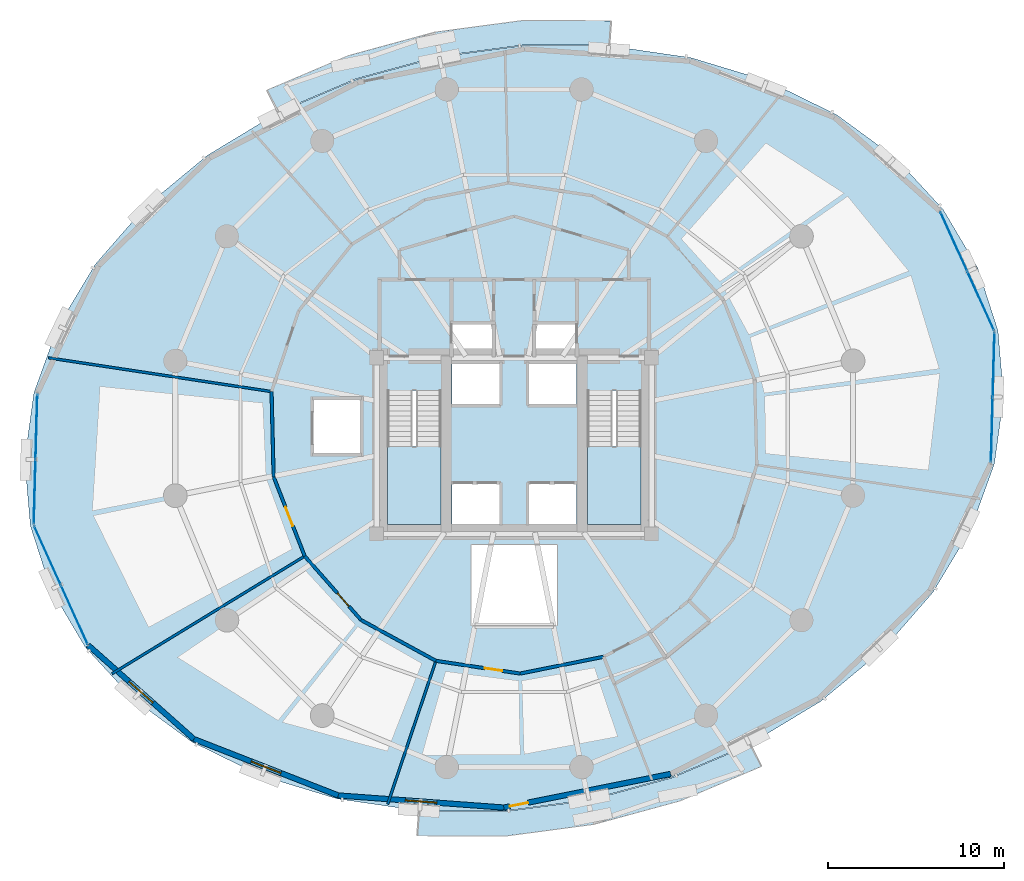
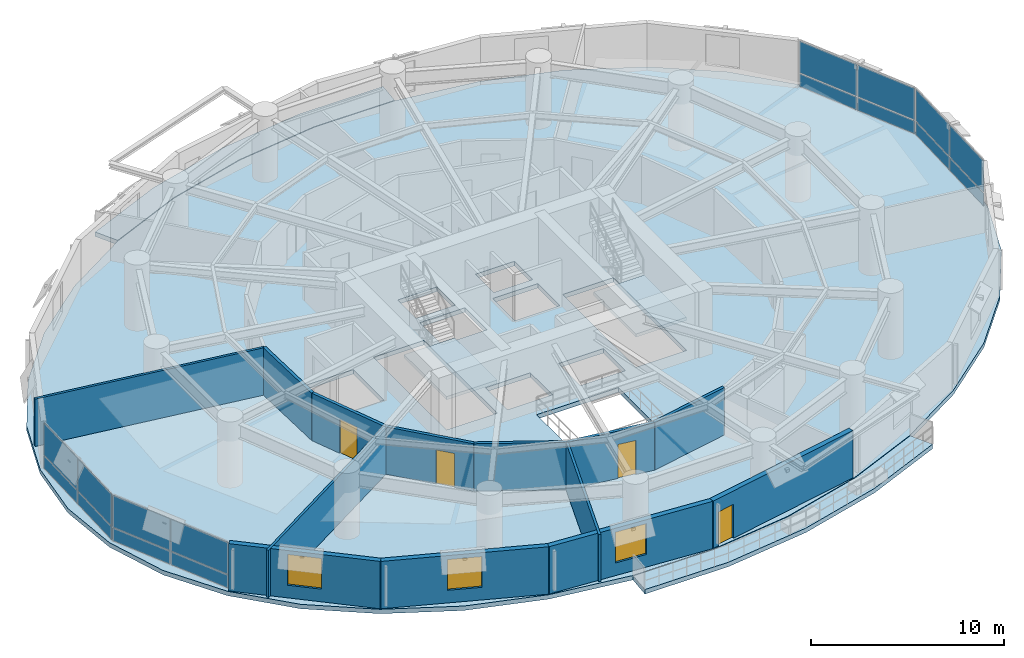
# One storey, part 11 of 17: 16 plates, 13 walls, 5 slabs, 4 doors, 3 windows, 7 openings, 6 elements without a shape of their own.
"""IFC4 building model written with IfcOpenShell, lengths in metres."""

from ifc_helpers import new_model, si_unit, direction, frame, frame_2d, origin, origin_2d, place, context, subcontext, project, spatial, polyline, rectangle, outline, extrude, material, layer, layer_set, type_object, element, fill, aggregate, save


model = new_model("IFC4")

# Units and contexts
model_context = context("Model", 3, precision=1e-05, world=origin(), true_north=direction((0.0, 1.0)))
body_context = subcontext(model_context, "Body", "Model", "MODEL_VIEW")
ifc_project = project(units=[si_unit("LENGTHUNIT", "METRE"), si_unit("AREAUNIT", "SQUARE_METRE"), si_unit("VOLUMEUNIT", "CUBIC_METRE"), si_unit("PLANEANGLEUNIT", "RADIAN"), si_unit("MASSUNIT", "GRAM", prefix="KILO"), si_unit("THERMODYNAMICTEMPERATUREUNIT", "KELVIN"), si_unit("POWERUNIT", "WATT")], contexts=[model_context])

# Site, building, storey
site_placement = place(None, origin())
site = spatial("IfcSite", under=ifc_project, at=site_placement, CompositionType="ELEMENT")
building_placement = place(site_placement, origin())
building = spatial("IfcBuilding", under=site, at=building_placement, Name="Ocrelia Relay Tower", CompositionType="ELEMENT")
storey_placement = place(building_placement, frame((0.0, 0.0, 80.39990234375)))
storey = spatial("IfcBuildingStorey", under=building, at=storey_placement, Name="L18", CompositionType="ELEMENT", Elevation=80.39990234375)

# Curtain wall, plates
ifc_material_1 = material(Name="Aluminium and solar-control low-E glass", Category="aluminium")
ifc_layer_1 = layer(ifc_material_1, 0.179931640625, Name="Aluminium and solar-control low-E glass")
ifc_layer_set_1 = layer_set([ifc_layer_1], Name="Aluminium and solar-control low-E glass")
curtain_wall_type = type_object("IfcCurtainWallType", Name="CW-SYS-Z1-DATA", PredefinedType="NOTDEFINED", material=ifc_layer_set_1)
curtain_wall_1_placement = place(storey_placement, origin())
curtain_wall_1 = element("IfcCurtainWall", 1, at=curtain_wall_1_placement, inside=storey, type_object=curtain_wall_type, Name="L18 Elliptical Tower Curtain Wall Bay 01", PredefinedType="NOTDEFINED")
ifc_material_2 = material(Name="Clear double-glazed low-E glass", Category="glass")
ifc_layer_2 = layer(ifc_material_2, 0.031982421875, Name="Clear double-glazed low-E glass")
ifc_layer_set_2 = layer_set([ifc_layer_2], Name="Clear double-glazed low-E glass")
plate_type = type_object("IfcPlateType", Name="CW-SYS-Z1-DATA-PNL", PredefinedType="CURTAIN_PANEL", material=ifc_layer_set_2)
plate_1_placement = place(storey_placement, frame((60.473388671875, 33.21337890625, 0.06494140625), z_axis=(0.0, 0.0, 1.0), x_axis=(-0.41247110864, 0.910970682589, 0.0)))
plate_1 = element("IfcPlate", 2, at=plate_1_placement, type_object=plate_type, Name="CW-Z1 panel 1.1", PredefinedType="CURTAIN_PANEL", context=body_context, shape_type="SweptSolid", body=[
    extrude(rectangle(XDim=3.6328125, YDim=0.031982421875, at=origin_2d()), origin(), (0.0, 0.0, 1.0), 0.802490234375),
])
plate_2_placement = place(storey_placement, frame((60.473388671875, 33.21337890625, 0.9326171875), z_axis=(0.0, 0.0, 1.0), x_axis=(-0.41247110864, 0.910970682589, 0.0)))
plate_2 = element("IfcPlate", 3, at=plate_2_placement, type_object=plate_type, Name="CW-Z1 panel 1.2", PredefinedType="CURTAIN_PANEL", context=body_context, shape_type="SweptSolid", body=[
    extrude(rectangle(XDim=3.6328125, YDim=0.031982421875, at=origin_2d()), origin(), (0.0, 0.0, 1.0), 2.00244140625),
])
plate_3_placement = place(storey_placement, frame((58.9462890625, 36.58642578125, 0.06494140625), z_axis=(0.0, 0.0, 1.0), x_axis=(-0.41247110864, 0.910970682589, 0.0)))
plate_3 = element("IfcPlate", 4, at=plate_3_placement, type_object=plate_type, Name="CW-Z1 panel 2.1", PredefinedType="CURTAIN_PANEL", context=body_context, shape_type="SweptSolid", body=[
    extrude(rectangle(XDim=3.6328125, YDim=0.031982421875, at=origin_2d()), origin(), (0.0, 0.0, 1.0), 0.802490234375),
])
plate_4_placement = place(storey_placement, frame((58.9462890625, 36.58642578125, 0.9326171875), z_axis=(0.0, 0.0, 1.0), x_axis=(-0.41247110864, 0.910970682589, 0.0)))
plate_4 = element("IfcPlate", 5, at=plate_4_placement, type_object=plate_type, Name="CW-Z1 panel 2.2", PredefinedType="CURTAIN_PANEL", context=body_context, shape_type="SweptSolid", body=[
    extrude(rectangle(XDim=3.6328125, YDim=0.031982421875, at=origin_2d()), origin(), (0.0, 0.0, 1.0), 2.00244140625),
])
aggregate(curtain_wall_1, [plate_1, plate_2, plate_3, plate_4])

curtain_wall_2_placement = place(storey_placement, origin())
curtain_wall_2 = element("IfcCurtainWall", 6, at=curtain_wall_2_placement, inside=storey, type_object=curtain_wall_type, Name="L18 Elliptical Tower Curtain Wall Bay 09", PredefinedType="NOTDEFINED")
plate_5_placement = place(storey_placement, frame((6.900634765625, 26.092041015625, 0.06494140625), z_axis=(0.0, 0.0, 1.0), x_axis=(-0.027222367212, -0.999629402691, 0.0)))
plate_5 = element("IfcPlate", 7, at=plate_5_placement, type_object=plate_type, Name="CW-Z1 panel 1.1", PredefinedType="CURTAIN_PANEL", context=body_context, shape_type="SweptSolid", body=[
    extrude(rectangle(XDim=3.6328125, YDim=0.031982421875, at=origin_2d()), origin(), (0.0, 0.0, 1.0), 0.802490234375),
])
plate_6_placement = place(storey_placement, frame((6.900634765625, 26.092041015625, 0.9326171875), z_axis=(0.0, 0.0, 1.0), x_axis=(-0.027222367212, -0.999629402691, 0.0)))
plate_6 = element("IfcPlate", 8, at=plate_6_placement, type_object=plate_type, Name="CW-Z1 panel 1.2", PredefinedType="CURTAIN_PANEL", context=body_context, shape_type="SweptSolid", body=[
    extrude(rectangle(XDim=3.6328125, YDim=0.031982421875, at=origin_2d()), origin(), (0.0, 0.0, 1.0), 2.00244140625),
])
plate_7_placement = place(storey_placement, frame((6.7998046875, 22.390869140625, 0.06494140625), z_axis=(0.0, 0.0, 1.0), x_axis=(-0.027222367212, -0.999629402691, 0.0)))
plate_7 = element("IfcPlate", 9, at=plate_7_placement, type_object=plate_type, Name="CW-Z1 panel 2.1", PredefinedType="CURTAIN_PANEL", context=body_context, shape_type="SweptSolid", body=[
    extrude(rectangle(XDim=3.6328125, YDim=0.031982421875, at=origin_2d()), origin(), (0.0, 0.0, 1.0), 0.802490234375),
])
plate_8_placement = place(storey_placement, frame((6.7998046875, 22.390869140625, 0.9326171875), z_axis=(0.0, 0.0, 1.0), x_axis=(-0.027222367212, -0.999629402691, 0.0)))
plate_8 = element("IfcPlate", 10, at=plate_8_placement, type_object=plate_type, Name="CW-Z1 panel 2.2", PredefinedType="CURTAIN_PANEL", context=body_context, shape_type="SweptSolid", body=[
    extrude(rectangle(XDim=3.6328125, YDim=0.031982421875, at=origin_2d()), origin(), (0.0, 0.0, 1.0), 2.00244140625),
])
aggregate(curtain_wall_2, [plate_5, plate_6, plate_7, plate_8])

curtain_wall_3_placement = place(storey_placement, origin())
curtain_wall_3 = element("IfcCurtainWall", 11, at=curtain_wall_3_placement, inside=storey, type_object=curtain_wall_type, Name="L18 Elliptical Tower Curtain Wall Bay 10", PredefinedType="NOTDEFINED")
plate_9_placement = place(storey_placement, frame((7.526611328125, 18.78662109375, 0.06494140625), z_axis=(0.0, 0.0, 1.0), x_axis=(0.41247110864, -0.910970682589, 0.0)))
plate_9 = element("IfcPlate", 12, at=plate_9_placement, type_object=plate_type, Name="CW-Z1 panel 1.1", PredefinedType="CURTAIN_PANEL", context=body_context, shape_type="SweptSolid", body=[
    extrude(rectangle(XDim=3.6328125, YDim=0.031982421875, at=origin_2d()), origin(), (0.0, 0.0, 1.0), 0.802490234375),
])
plate_10_placement = place(storey_placement, frame((7.526611328125, 18.78662109375, 0.9326171875), z_axis=(0.0, 0.0, 1.0), x_axis=(0.41247110864, -0.910970682589, 0.0)))
plate_10 = element("IfcPlate", 13, at=plate_10_placement, type_object=plate_type, Name="CW-Z1 panel 1.2", PredefinedType="CURTAIN_PANEL", context=body_context, shape_type="SweptSolid", body=[
    extrude(rectangle(XDim=3.6328125, YDim=0.031982421875, at=origin_2d()), origin(), (0.0, 0.0, 1.0), 2.00244140625),
])
plate_11_placement = place(storey_placement, frame((9.0537109375, 15.41357421875, 0.06494140625), z_axis=(0.0, 0.0, 1.0), x_axis=(0.41247110864, -0.910970682589, 0.0)))
plate_11 = element("IfcPlate", 14, at=plate_11_placement, type_object=plate_type, Name="CW-Z1 panel 2.1", PredefinedType="CURTAIN_PANEL", context=body_context, shape_type="SweptSolid", body=[
    extrude(rectangle(XDim=3.6328125, YDim=0.031982421875, at=origin_2d()), origin(), (0.0, 0.0, 1.0), 0.802490234375),
])
plate_12_placement = place(storey_placement, frame((9.0537109375, 15.41357421875, 0.9326171875), z_axis=(0.0, 0.0, 1.0), x_axis=(0.41247110864, -0.910970682589, 0.0)))
plate_12 = element("IfcPlate", 15, at=plate_12_placement, type_object=plate_type, Name="CW-Z1 panel 2.2", PredefinedType="CURTAIN_PANEL", context=body_context, shape_type="SweptSolid", body=[
    extrude(rectangle(XDim=3.6328125, YDim=0.031982421875, at=origin_2d()), origin(), (0.0, 0.0, 1.0), 2.00244140625),
])
aggregate(curtain_wall_3, [plate_9, plate_10, plate_11, plate_12])

curtain_wall_4_placement = place(storey_placement, origin())
curtain_wall_4 = element("IfcCurtainWall", 16, at=curtain_wall_4_placement, inside=storey, type_object=curtain_wall_type, Name="L18 Elliptical Tower Curtain Wall Bay 18", PredefinedType="NOTDEFINED")
plate_13_placement = place(storey_placement, frame((61.099365234375, 25.907958984375, 0.06494140625), z_axis=(0.0, 0.0, 1.0), x_axis=(0.027222367212, 0.999629402691, 0.0)))
plate_13 = element("IfcPlate", 17, at=plate_13_placement, type_object=plate_type, Name="CW-Z1 panel 1.1", PredefinedType="CURTAIN_PANEL", context=body_context, shape_type="SweptSolid", body=[
    extrude(rectangle(XDim=3.6328125, YDim=0.031982421875, at=origin_2d()), origin(), (0.0, 0.0, 1.0), 0.802490234375),
])
plate_14_placement = place(storey_placement, frame((61.099365234375, 25.907958984375, 0.9326171875), z_axis=(0.0, 0.0, 1.0), x_axis=(0.027222367212, 0.999629402691, 0.0)))
plate_14 = element("IfcPlate", 18, at=plate_14_placement, type_object=plate_type, Name="CW-Z1 panel 1.2", PredefinedType="CURTAIN_PANEL", context=body_context, shape_type="SweptSolid", body=[
    extrude(rectangle(XDim=3.6328125, YDim=0.031982421875, at=origin_2d()), origin(), (0.0, 0.0, 1.0), 2.00244140625),
])
plate_15_placement = place(storey_placement, frame((61.2001953125, 29.609130859375, 0.06494140625), z_axis=(0.0, 0.0, 1.0), x_axis=(0.027222367212, 0.999629402691, 0.0)))
plate_15 = element("IfcPlate", 19, at=plate_15_placement, type_object=plate_type, Name="CW-Z1 panel 2.1", PredefinedType="CURTAIN_PANEL", context=body_context, shape_type="SweptSolid", body=[
    extrude(rectangle(XDim=3.6328125, YDim=0.031982421875, at=origin_2d()), origin(), (0.0, 0.0, 1.0), 0.802490234375),
])
plate_16_placement = place(storey_placement, frame((61.2001953125, 29.609130859375, 0.9326171875), z_axis=(0.0, 0.0, 1.0), x_axis=(0.027222367212, 0.999629402691, 0.0)))
plate_16 = element("IfcPlate", 20, at=plate_16_placement, type_object=plate_type, Name="CW-Z1 panel 2.2", PredefinedType="CURTAIN_PANEL", context=body_context, shape_type="SweptSolid", body=[
    extrude(rectangle(XDim=3.6328125, YDim=0.031982421875, at=origin_2d()), origin(), (0.0, 0.0, 1.0), 2.00244140625),
])
aggregate(curtain_wall_4, [plate_13, plate_14, plate_15, plate_16])

# Slabs
ifc_material_3 = material(Name="Precast concrete C40/50", Category="concrete")
ifc_layer_3 = layer(ifc_material_3, 0.280029296875, Name="Precast concrete C40/50")
ifc_layer_set_3 = layer_set([ifc_layer_3], Name="Precast concrete C40/50")
slab_type_1 = type_object("IfcSlabType", Name="SL-BALC-280", PredefinedType="FLOOR", material=ifc_layer_set_3)
slab_1_placement = place(storey_placement, frame((0.0, 0.0, -0.27978515625)))
element("IfcSlab", 21, at=slab_1_placement, inside=storey, type_object=slab_type_1, Name="L18 Planted Loggia Balcony B1", PredefinedType="FLOOR", context=body_context, shape_type="SweptSolid", body=[
    extrude(outline(polyline([(39.396484375, 47.727783203125), (36.98779296875, 47.7373046875), (34.579345703125, 47.74658203125), (29.744384765625, 47.105224609375), (25.038818359375, 45.822998046875), (22.822021484375, 44.880859375), (20.605224609375, 43.938720703125), (19.97119140625, 45.1796875), (22.276611328125, 46.159423828125), (24.582275390625, 47.13916015625), (29.468994140625, 48.470947265625), (34.490234375, 49.13720703125), (36.9951171875, 49.127197265625), (39.5, 49.1171875), (39.396484375, 47.727783203125)])), origin(), (0.0, 0.0, 1.0), 0.27978515625),
])
slab_2_placement = place(storey_placement, frame((0.0, 0.0, -0.27978515625)))
element("IfcSlab", 22, at=slab_2_placement, inside=storey, type_object=slab_type_1, Name="L18 Planted Loggia Balcony B2", PredefinedType="FLOOR", context=body_context, shape_type="SweptSolid", body=[
    extrude(outline(polyline([(28.603515625, 4.272216796875), (31.01220703125, 4.2626953125), (33.420654296875, 4.25341796875), (38.255615234375, 4.894775390625), (42.961181640625, 6.177001953125), (45.177978515625, 7.119140625), (47.394775390625, 8.061279296875), (48.02880859375, 6.8203125), (45.723388671875, 5.840576171875), (43.417724609375, 4.86083984375), (38.531005859375, 3.529052734375), (33.509765625, 2.86279296875), (31.0048828125, 2.872802734375), (28.5, 2.8828125), (28.603515625, 4.272216796875)])), origin(), (0.0, 0.0, 1.0), 0.27978515625),
])
ifc_material_4 = material(Name="Concrete C50/60", Category="concrete")
ifc_layer_4 = layer(ifc_material_4, 0.280029296875, Name="Concrete C50/60")
ifc_layer_set_4 = layer_set([ifc_layer_4], Name="Concrete C50/60")
slab_type_2 = type_object("IfcSlabType", Name="SL-FLR-280", PredefinedType="FLOOR", material=ifc_layer_set_4)
slab_3_placement = place(storey_placement, frame((0.0, 0.0, -0.27978515625)))
element("IfcSlab", 23, at=slab_3_placement, inside=storey, type_object=slab_type_2, Name="L18 Elliptical Tower Floor Slab", PredefinedType="FLOOR", context=body_context, shape_type="SweptSolid", body=[
    extrude(outline(polyline([(61.447509765625, 31.534423828125), (60.292724609375, 35.110107421875), (58.3388671875, 38.408935546875), (55.6455078125, 41.330810546875), (52.29443359375, 43.786865234375), (48.3876953125, 45.702392578125), (44.04345703125, 47.019287109375), (39.394287109375, 47.69775390625), (34.581298828125, 47.716796875), (29.75048828125, 47.07568359375), (25.048583984375, 45.794677734375), (20.618896484375, 43.911865234375), (16.595947265625, 41.485107421875), (13.1015625, 38.587646484375), (10.2421875, 35.3076171875), (8.10498046875, 31.7451171875), (6.754150390625, 28.0078125), (6.2314453125, 24.20947265625), (6.552490234375, 20.465576171875), (7.707275390625, 16.889892578125), (9.6611328125, 13.591064453125), (12.3544921875, 10.669189453125), (15.70556640625, 8.213134765625), (19.6123046875, 6.297607421875), (23.95654296875, 4.980712890625), (28.605712890625, 4.30224609375), (33.418701171875, 4.283203125), (38.24951171875, 4.92431640625), (42.951416015625, 6.205322265625), (47.381103515625, 8.088134765625), (51.404052734375, 10.514892578125), (54.8984375, 13.412353515625), (57.7578125, 16.6923828125), (59.89501953125, 20.2548828125), (61.245849609375, 23.9921875), (61.7685546875, 27.79052734375), (61.447509765625, 31.534423828125)]), holes=[polyline([(26.81005859375, 28.14990234375), (26.81005859375, 20.550048828125), (29.85009765625, 20.550048828125), (29.85009765625, 28.14990234375), (26.81005859375, 28.14990234375)]), polyline([(38.159912109375, 28.14990234375), (38.159912109375, 20.550048828125), (41.199951171875, 20.550048828125), (41.199951171875, 28.14990234375), (38.159912109375, 28.14990234375)]), polyline([(30.4599609375, 20.550048828125), (33.159912109375, 20.550048828125), (33.159912109375, 22.85009765625), (30.4599609375, 22.85009765625), (30.4599609375, 20.550048828125)]), polyline([(34.840087890625, 20.550048828125), (37.5400390625, 20.550048828125), (37.5400390625, 22.85009765625), (34.840087890625, 22.85009765625), (34.840087890625, 20.550048828125)]), polyline([(30.4599609375, 27.35009765625), (33.159912109375, 27.35009765625), (33.159912109375, 29.64990234375), (30.4599609375, 29.64990234375), (30.4599609375, 27.35009765625)]), polyline([(34.840087890625, 27.35009765625), (37.5400390625, 27.35009765625), (37.5400390625, 29.64990234375), (34.840087890625, 29.64990234375), (34.840087890625, 27.35009765625)]), polyline([(30.5, 30.10009765625), (32.85009765625, 30.10009765625), (32.85009765625, 32.0), (30.5, 32.0), (30.5, 30.10009765625)]), polyline([(35.14990234375, 30.10009765625), (37.5, 30.10009765625), (37.5, 32.0), (35.14990234375, 32.0), (35.14990234375, 30.10009765625)]), polyline([(22.550048828125, 24.5), (25.35009765625, 24.5), (25.35009765625, 27.699951171875), (22.550048828125, 27.699951171875), (22.550048828125, 24.5)]), polyline([(31.550048828125, 14.800048828125), (36.449951171875, 14.800048828125), (36.449951171875, 19.39990234375), (31.550048828125, 19.39990234375), (31.550048828125, 14.800048828125)])]), origin(), (0.0, 0.0, 1.0), 0.27978515625),
])

# Stair, slab
stair_type = type_object("IfcStairType", Name="ST-DL-1420-R175", PredefinedType="HALF_TURN_STAIR", material=ifc_material_4)
stair_1_placement = place(storey_placement, origin())
stair_1 = element("IfcStair", 24, at=stair_1_placement, inside=storey, type_object=stair_type, Name="L18 West Core Exit Stair ST1", PredefinedType="HALF_TURN_STAIR")
ifc_layer_5 = layer(ifc_material_4, 0.199951171875, Name="Concrete C50/60")
ifc_layer_set_5 = layer_set([ifc_layer_5], Name="Concrete C50/60")
slab_type_3 = type_object("IfcSlabType", Name="SL-LANDING-200", PredefinedType="LANDING", material=ifc_layer_set_5)
slab_4_placement = place(storey_placement, frame((0.0, 0.0, 1.900146484375)))
slab_4 = element("IfcSlab", 25, at=slab_4_placement, type_object=slab_type_3, Name="ST1 landing 1", PredefinedType="LANDING", context=body_context, shape_type="SweptSolid", body=[
    extrude(outline(polyline([(26.81005859375, 24.9599609375), (26.81005859375, 20.550048828125), (29.85009765625, 20.550048828125), (29.85009765625, 24.9599609375), (26.81005859375, 24.9599609375)])), origin(), (0.0, 0.0, 1.0), 0.199951171875),
])
aggregate(stair_1, [slab_4])

stair_2_placement = place(storey_placement, origin())
stair_2 = element("IfcStair", 26, at=stair_2_placement, inside=storey, type_object=stair_type, Name="L18 East Core Exit Stair ST2", PredefinedType="HALF_TURN_STAIR")
slab_5_placement = place(storey_placement, frame((0.0, 0.0, 1.900146484375)))
slab_5 = element("IfcSlab", 27, at=slab_5_placement, type_object=slab_type_3, Name="ST2 landing 1", PredefinedType="LANDING", context=body_context, shape_type="SweptSolid", body=[
    extrude(outline(polyline([(38.159912109375, 24.9599609375), (38.159912109375, 20.550048828125), (41.199951171875, 20.550048828125), (41.199951171875, 24.9599609375), (38.159912109375, 24.9599609375)])), origin(), (0.0, 0.0, 1.0), 0.199951171875),
])
aggregate(stair_2, [slab_5])

# Wall
ifc_material_5 = material(Name="Gypsum Fireboard Partition EI60", Category="gypsum")
ifc_layer_6 = layer(ifc_material_5, 0.179931640625, Name="Gypsum Fireboard Partition EI60")
ifc_layer_set_6 = layer_set([ifc_layer_6], Name="Gypsum Fireboard Partition EI60")
wall_type_1 = type_object("IfcWallType", Name="W-CORR-EI60-180", PredefinedType="PARTITIONING", material=ifc_layer_set_6)
wall_1_placement = place(storey_placement, frame((20.236572265625, 28.08154296875, 0.0), z_axis=(0.0, 0.0, 1.0), x_axis=(0.024391609318, -0.999702480439, 0.0)))
element("IfcWall", 28, at=wall_1_placement, inside=storey, type_object=wall_type_1, Name="L18 Colocation Data Hall B Corridor Partition 1", PredefinedType="PARTITIONING", context=body_context, shape_type="SweptSolid", body=[
    extrude(rectangle(XDim=4.83447265625, YDim=0.179931640625, at=frame_2d((2.417236328125, 0.0))), origin(), (0.0, 0.0, 1.0), 3.0),
])

# Wall, opening, door
wall_2_placement = place(storey_placement, frame((20.3544921875, 23.24853515625, 0.0), z_axis=(0.0, 0.0, 1.0), x_axis=(0.364921025816, -0.931038476604, 0.0)))
wall_2 = element("IfcWall", 29, at=wall_2_placement, inside=storey, type_object=wall_type_1, Name="L18 Colocation Data Hall B Corridor Partition 2", PredefinedType="PARTITIONING", context=body_context, shape_type="SweptSolid", body=[
    extrude(rectangle(XDim=4.83447265625, YDim=0.179931640625, at=frame_2d((2.417236328125, 0.0))), origin(), (0.0, 0.0, 1.0), 3.0),
])
opening_1_placement = place(wall_2_placement, frame((1.84228515625, 0.0, 0.0)))
opening_1 = element("IfcOpeningElement", 30, at=opening_1_placement, cuts=wall_2, Name="Opening D-RM115", PredefinedType="OPENING", context=body_context, shape_type="SweptSolid", body=[
    extrude(rectangle(XDim=1.14990234375, YDim=2.14990234375, at=frame_2d((0.574951171875, 1.074951171875))), frame((0.0, 0.10009765625, 0.0), z_axis=(0.0, -1.0, 0.0), x_axis=(1.0, 0.0, 0.0)), (0.0, 0.0, 1.0), 0.199951171875),
])
ifc_material_6 = material(Name="Wide acoustic oak veneer fire door", Category="wood")
door_type_1 = type_object("IfcDoorType", Name="DR-ROOM-1150", OperationType="NOTDEFINED", PredefinedType="DOOR", material=ifc_material_6)
door_1_placement = place(opening_1_placement, origin())
door_1 = element("IfcDoor", 31, at=door_1_placement, inside=storey, type_object=door_type_1, Name="L18 Colocation Data Hall B Entrance Door", OperationType="SINGLE_SWING_LEFT", OverallHeight=2.14990234375, OverallWidth=1.14990234375, PredefinedType="DOOR", context=body_context, shape_type="SweptSolid", body=[
    extrude(rectangle(XDim=1.14990234375, YDim=2.14990234375, at=frame_2d((0.574951171875, 1.074951171875))), frame((0.0, 0.02490234375, 0.0), z_axis=(0.0, -1.0, 0.0), x_axis=(1.0, 0.0, 0.0)), (0.0, 0.0, 1.0), 0.050048828125),
])
fill(opening_1, door_1)

wall_3_placement = place(storey_placement, frame((22.11865234375, 18.74755859375, 0.0), z_axis=(0.0, 0.0, 1.0), x_axis=(0.661295879948, -0.750125162332, 0.0)))
wall_3 = element("IfcWall", 32, at=wall_3_placement, inside=storey, type_object=wall_type_1, Name="L18 Carrier Briefing Room Corridor Partition 1", PredefinedType="PARTITIONING", context=body_context, shape_type="SweptSolid", body=[
    extrude(rectangle(XDim=4.83447265625, YDim=0.179931640625, at=frame_2d((2.417236328125, 0.0))), origin(), (0.0, 0.0, 1.0), 3.0),
])
opening_2_placement = place(wall_3_placement, frame((2.80078125, 0.0, 0.0)))
opening_2 = element("IfcOpeningElement", 33, at=opening_2_placement, cuts=wall_3, Name="Opening D-RM100", PredefinedType="OPENING", context=body_context, shape_type="SweptSolid", body=[
    extrude(rectangle(XDim=1.0, YDim=2.14990234375, at=frame_2d((0.5, 1.074951171875))), frame((0.0, 0.10009765625, 0.0), z_axis=(0.0, -1.0, 0.0), x_axis=(1.0, 0.0, 0.0)), (0.0, 0.0, 1.0), 0.199951171875),
])
ifc_material_7 = material(Name="Acoustic oak veneer fire door", Category="wood")
door_type_2 = type_object("IfcDoorType", Name="DR-ROOM-FD60-1000", OperationType="NOTDEFINED", PredefinedType="DOOR", material=ifc_material_7)
door_2_placement = place(opening_2_placement, origin())
door_2 = element("IfcDoor", 34, at=door_2_placement, inside=storey, type_object=door_type_2, Name="L18 Carrier Briefing Room Entrance Door", OperationType="SINGLE_SWING_RIGHT", OverallHeight=2.14990234375, OverallWidth=1.0, PredefinedType="DOOR", context=body_context, shape_type="SweptSolid", body=[
    extrude(rectangle(XDim=1.0, YDim=2.14990234375, at=frame_2d((0.5, 1.074951171875))), frame((0.0, 0.02490234375, 0.0), z_axis=(0.0, -1.0, 0.0), x_axis=(1.0, 0.0, 0.0)), (0.0, 0.0, 1.0), 0.050048828125),
])
fill(opening_2, door_2)

# Wall
wall_4_placement = place(storey_placement, frame((25.315673828125, 15.12109375, 0.0), z_axis=(0.0, 0.0, 1.0), x_axis=(0.877995916426, -0.478668121708, 0.0)))
element("IfcWall", 35, at=wall_4_placement, inside=storey, type_object=wall_type_1, Name="L18 Carrier Briefing Room Corridor Partition 2", PredefinedType="PARTITIONING", context=body_context, shape_type="SweptSolid", body=[
    extrude(rectangle(XDim=4.834228515625, YDim=0.179931640625, at=frame_2d((2.4169921875, 0.0))), origin(), (0.0, 0.0, 1.0), 3.0),
])

# Wall, opening, door
wall_5_placement = place(storey_placement, frame((29.56005859375, 12.80712890625, 0.0), z_axis=(0.0, 0.0, 1.0), x_axis=(0.988756719699, -0.149533104195, 0.0)))
wall_5 = element("IfcWall", 36, at=wall_5_placement, inside=storey, type_object=wall_type_1, Name="L18 Shift Staff Lounge Corridor Partition 1", PredefinedType="PARTITIONING", context=body_context, shape_type="SweptSolid", body=[
    extrude(rectangle(XDim=4.83447265625, YDim=0.179931640625, at=frame_2d((2.417236328125, 0.0))), origin(), (0.0, 0.0, 1.0), 3.0),
])
opening_3_placement = place(wall_5_placement, frame((2.80078125, 0.0, 0.0)))
opening_3 = element("IfcOpeningElement", 37, at=opening_3_placement, cuts=wall_5, Name="Opening D-RM100", PredefinedType="OPENING", context=body_context, shape_type="SweptSolid", body=[
    extrude(rectangle(XDim=1.0, YDim=2.14990234375, at=frame_2d((0.5, 1.074951171875))), frame((0.0, 0.10009765625, 0.0), z_axis=(0.0, -1.0, 0.0), x_axis=(1.0, 0.0, 0.0)), (0.0, 0.0, 1.0), 0.199951171875),
])
door_3_placement = place(opening_3_placement, origin())
door_3 = element("IfcDoor", 38, at=door_3_placement, inside=storey, type_object=door_type_2, Name="L18 Shift Staff Lounge Entrance Door", OperationType="SINGLE_SWING_LEFT", OverallHeight=2.14990234375, OverallWidth=1.0, PredefinedType="DOOR", context=body_context, shape_type="SweptSolid", body=[
    extrude(rectangle(XDim=1.0, YDim=2.14990234375, at=frame_2d((0.5, 1.074951171875))), frame((0.0, 0.02490234375, 0.0), z_axis=(0.0, -1.0, 0.0), x_axis=(1.0, 0.0, 0.0)), (0.0, 0.0, 1.0), 0.050048828125),
])
fill(opening_3, door_3)

# Wall
wall_6_placement = place(storey_placement, frame((34.340087890625, 12.084228515625, 0.0), z_axis=(0.0, 0.0, 1.0), x_axis=(0.980270628178, 0.197660050419, 0.0)))
element("IfcWall", 39, at=wall_6_placement, inside=storey, type_object=wall_type_1, Name="L18 Shift Staff Lounge Corridor Partition 2", PredefinedType="PARTITIONING", context=body_context, shape_type="SweptSolid", body=[
    extrude(rectangle(XDim=4.83447265625, YDim=0.179931640625, at=frame_2d((2.417236328125, 0.0))), origin(), (0.0, 0.0, 1.0), 3.0),
])

# Wall, opening, window
ifc_material_8 = material(Name="Precast concrete C40/50 with oxide terracotta", Category="masonry")
ifc_layer_7 = layer(ifc_material_8, 0.300048828125, Name="Precast concrete C40/50 with oxide terracotta")
ifc_layer_set_7 = layer_set([ifc_layer_7], Name="Precast concrete C40/50 with oxide terracotta")
wall_type_2 = type_object("IfcWallType", Name="W-EXT-TERR-300", PredefinedType="SOLIDWALL", material=ifc_layer_set_7)
wall_7_placement = place(storey_placement, frame((9.831787109375, 13.6953125, 0.0), z_axis=(0.0, 0.0, 1.0), x_axis=(0.747787011146, -0.663938691418, 0.0)))
wall_7 = element("IfcWall", 40, at=wall_7_placement, inside=storey, type_object=wall_type_2, Name="L18 Oxide Terracotta Facade Wall 11", PredefinedType="SOLIDWALL", context=body_context, shape_type="SweptSolid", body=[
    extrude(rectangle(XDim=8.021728515625, YDim=0.300048828125, at=frame_2d((4.0107421875, 0.0))), origin(), (0.0, 0.0, 1.0), 3.0),
])
opening_4_placement = place(wall_7_placement, frame((3.111083984375, 0.0, 0.800048828125)))
opening_4 = element("IfcOpeningElement", 41, at=opening_4_placement, cuts=wall_7, Name="Opening W-02", PredefinedType="OPENING", context=body_context, shape_type="SweptSolid", body=[
    extrude(rectangle(XDim=1.800048828125, YDim=1.949951171875, at=frame_2d((0.89990234375, 0.97509765625))), frame((0.0, 0.16015625, 0.0), z_axis=(0.0, -1.0, 0.0), x_axis=(1.0, 0.0, 0.0)), (0.0, 0.0, 1.0), 0.320068359375),
])
window_type = type_object("IfcWindowType", Name="WIN-Z1-1800x2100", PartitioningType="DOUBLE_PANEL_VERTICAL", PredefinedType="WINDOW", material=ifc_material_2)
window_1_placement = place(opening_4_placement, origin())
window_1 = element("IfcWindow", 42, at=window_1_placement, inside=storey, type_object=window_type, Name="L18 Facade Module Window 11", OverallHeight=1.949951171875, OverallWidth=1.800048828125, PartitioningType="SINGLE_PANEL", PredefinedType="WINDOW", context=body_context, shape_type="SweptSolid", body=[
    extrude(rectangle(XDim=1.800048828125, YDim=1.949951171875, at=frame_2d((0.89990234375, 0.97509765625))), frame((0.0, 0.030029296875, 0.0), z_axis=(0.0, -1.0, 0.0), x_axis=(1.0, 0.0, 0.0)), (0.0, 0.0, 1.0), 0.06005859375),
])
fill(opening_4, window_1)

wall_8_placement = place(storey_placement, frame((15.830322265625, 8.369384765625, 0.0), z_axis=(0.0, 0.0, 1.0), x_axis=(0.931456467252, -0.363852785634, 0.0)))
wall_8 = element("IfcWall", 43, at=wall_8_placement, inside=storey, type_object=wall_type_2, Name="L18 Oxide Terracotta Facade Wall 12", PredefinedType="SOLIDWALL", context=body_context, shape_type="SweptSolid", body=[
    extrude(rectangle(XDim=8.792724609375, YDim=0.300048828125, at=frame_2d((4.396484375, 0.0))), origin(), (0.0, 0.0, 1.0), 3.0),
])
opening_5_placement = place(wall_8_placement, frame((3.49609375, 0.0, 0.800048828125)))
opening_5 = element("IfcOpeningElement", 44, at=opening_5_placement, cuts=wall_8, Name="Opening W-02", PredefinedType="OPENING", context=body_context, shape_type="SweptSolid", body=[
    extrude(rectangle(XDim=1.800048828125, YDim=1.949951171875, at=frame_2d((0.89990234375, 0.97509765625))), frame((0.0, 0.16015625, 0.0), z_axis=(0.0, -1.0, 0.0), x_axis=(1.0, 0.0, 0.0)), (0.0, 0.0, 1.0), 0.320068359375),
])
window_2_placement = place(opening_5_placement, origin())
window_2 = element("IfcWindow", 45, at=window_2_placement, inside=storey, type_object=window_type, Name="L18 Facade Module Window 12", OverallHeight=1.949951171875, OverallWidth=1.800048828125, PartitioningType="SINGLE_PANEL", PredefinedType="WINDOW", context=body_context, shape_type="SweptSolid", body=[
    extrude(rectangle(XDim=1.800048828125, YDim=1.949951171875, at=frame_2d((0.89990234375, 0.97509765625))), frame((0.0, 0.030029296875, 0.0), z_axis=(0.0, -1.0, 0.0), x_axis=(1.0, 0.0, 0.0)), (0.0, 0.0, 1.0), 0.06005859375),
])
fill(opening_5, window_2)

wall_9_placement = place(storey_placement, frame((24.020263671875, 5.170166015625, 0.0), z_axis=(0.0, 0.0, 1.0), x_axis=(0.997338230912, -0.0729140121, 0.0)))
wall_9 = element("IfcWall", 46, at=wall_9_placement, inside=storey, type_object=wall_type_2, Name="L18 Oxide Terracotta Facade Wall 13", PredefinedType="SOLIDWALL", context=body_context, shape_type="SweptSolid", body=[
    extrude(rectangle(XDim=9.4189453125, YDim=0.300048828125, at=frame_2d((4.70947265625, 0.0))), origin(), (0.0, 0.0, 1.0), 3.0),
])
opening_6_placement = place(wall_9_placement, frame((3.80908203125, 0.0, 0.800048828125)))
opening_6 = element("IfcOpeningElement", 47, at=opening_6_placement, cuts=wall_9, Name="Opening W-02", PredefinedType="OPENING", context=body_context, shape_type="SweptSolid", body=[
    extrude(rectangle(XDim=1.800048828125, YDim=1.949951171875, at=frame_2d((0.89990234375, 0.97509765625))), frame((0.0, 0.16015625, 0.0), z_axis=(0.0, -1.0, 0.0), x_axis=(1.0, 0.0, 0.0)), (0.0, 0.0, 1.0), 0.320068359375),
])
window_3_placement = place(opening_6_placement, origin())
window_3 = element("IfcWindow", 48, at=window_3_placement, inside=storey, type_object=window_type, Name="L18 Facade Module Window 13", OverallHeight=1.949951171875, OverallWidth=1.800048828125, PartitioningType="SINGLE_PANEL", PredefinedType="WINDOW", context=body_context, shape_type="SweptSolid", body=[
    extrude(rectangle(XDim=1.800048828125, YDim=1.949951171875, at=frame_2d((0.89990234375, 0.97509765625))), frame((0.0, 0.030029296875, 0.0), z_axis=(0.0, -1.0, 0.0), x_axis=(1.0, 0.0, 0.0)), (0.0, 0.0, 1.0), 0.06005859375),
])
fill(opening_6, window_3)

# Wall, opening, door
wall_10_placement = place(storey_placement, frame((33.4140625, 4.4833984375, 0.0), z_axis=(0.0, 0.0, 1.0), x_axis=(0.980274098215, 0.197642840418, 0.0)))
wall_10 = element("IfcWall", 49, at=wall_10_placement, inside=storey, type_object=wall_type_2, Name="L18 Oxide Terracotta Facade Wall 14", PredefinedType="SOLIDWALL", context=body_context, shape_type="SweptSolid", body=[
    extrude(rectangle(XDim=9.65478515625, YDim=0.300048828125, at=frame_2d((4.827392578125, 0.0))), origin(), (0.0, 0.0, 1.0), 3.0),
])
opening_7_placement = place(wall_10_placement, frame((0.35009765625, 0.0, 0.0)))
opening_7 = element("IfcOpeningElement", 50, at=opening_7_placement, cuts=wall_10, Name="Opening DB-105", PredefinedType="OPENING", context=body_context, shape_type="SweptSolid", body=[
    extrude(rectangle(XDim=1.050048828125, YDim=2.14990234375, at=frame_2d((0.52490234375, 1.074951171875))), frame((0.0, 0.16015625, 0.0), z_axis=(0.0, -1.0, 0.0), x_axis=(1.0, 0.0, 0.0)), (0.0, 0.0, 1.0), 0.320068359375),
])
ifc_material_9 = material(Name="Thermally broken aluminium and clear glass", Category="aluminium")
door_type_3 = type_object("IfcDoorType", Name="DR-BALC-1050", OperationType="NOTDEFINED", PredefinedType="DOOR", material=ifc_material_9)
door_4_placement = place(opening_7_placement, origin())
door_4 = element("IfcDoor", 51, at=door_4_placement, inside=storey, type_object=door_type_3, Name="L18 Planted Loggia Balcony Door B2", OperationType="SINGLE_SWING_LEFT", OverallHeight=2.14990234375, OverallWidth=1.050048828125, PredefinedType="DOOR", context=body_context, shape_type="SweptSolid", body=[
    extrude(rectangle(XDim=1.050048828125, YDim=2.14990234375, at=frame_2d((0.52490234375, 1.074951171875))), frame((0.0, 0.02490234375, 0.0), z_axis=(0.0, -1.0, 0.0), x_axis=(1.0, 0.0, 0.0)), (0.0, 0.0, 1.0), 0.050048828125),
])
fill(opening_7, door_4)

# Walls
ifc_material_10 = material(Name="Acoustic Fireboard Partition EI60", Category="gypsum")
ifc_layer_8 = layer(ifc_material_10, 0.139892578125, Name="Acoustic Fireboard Partition EI60")
ifc_layer_set_8 = layer_set([ifc_layer_8], Name="Acoustic Fireboard Partition EI60")
wall_type_3 = type_object("IfcWallType", Name="W-PART-140", PredefinedType="PARTITIONING", material=ifc_layer_set_8)
for number, where, z_axis, x_axis, name in (
    (52, (20.236572265625, 28.08154296875, 0.0), (0.0, 0.0, 1.0), (-0.988757576529, 0.149527438476, 0.0), "L18 Cable Drum Store Radial Partition"),
    (53, (22.11865234375, 18.74755859375, 0.0), (0.0, 0.0, 1.0), (-0.853550884502, -0.52100948894, 0.0), "L18 Colocation Data Hall B Radial Partition"),
):
    element("IfcWall", number, at=place(storey_placement, frame(where, z_axis=z_axis, x_axis=x_axis)), inside=storey, type_object=wall_type_3, Name=name, PredefinedType="PARTITIONING", context=body_context, shape_type="SweptSolid", body=[
        extrude(rectangle(XDim=12.802490234375, YDim=0.139892578125, at=frame_2d((6.4013671875, 0.0))), origin(), (0.0, 0.0, 1.0), 3.0),
    ])
wall_11_placement = place(storey_placement, frame((29.56005859375, 12.80712890625, 0.0), z_axis=(0.0, 0.0, 1.0), x_axis=(-0.318960399163, -0.947768043229, 0.0)))
element("IfcWall", 54, at=wall_11_placement, inside=storey, type_object=wall_type_3, Name="L18 Carrier Briefing Room Radial Partition", PredefinedType="PARTITIONING", context=body_context, shape_type="SweptSolid", body=[
    extrude(rectangle(XDim=8.57275390625, YDim=0.139892578125, at=frame_2d((4.286376953125, 0.0))), origin(), (0.0, 0.0, 1.0), 3.0),
])

save(model, "model.ifc")
